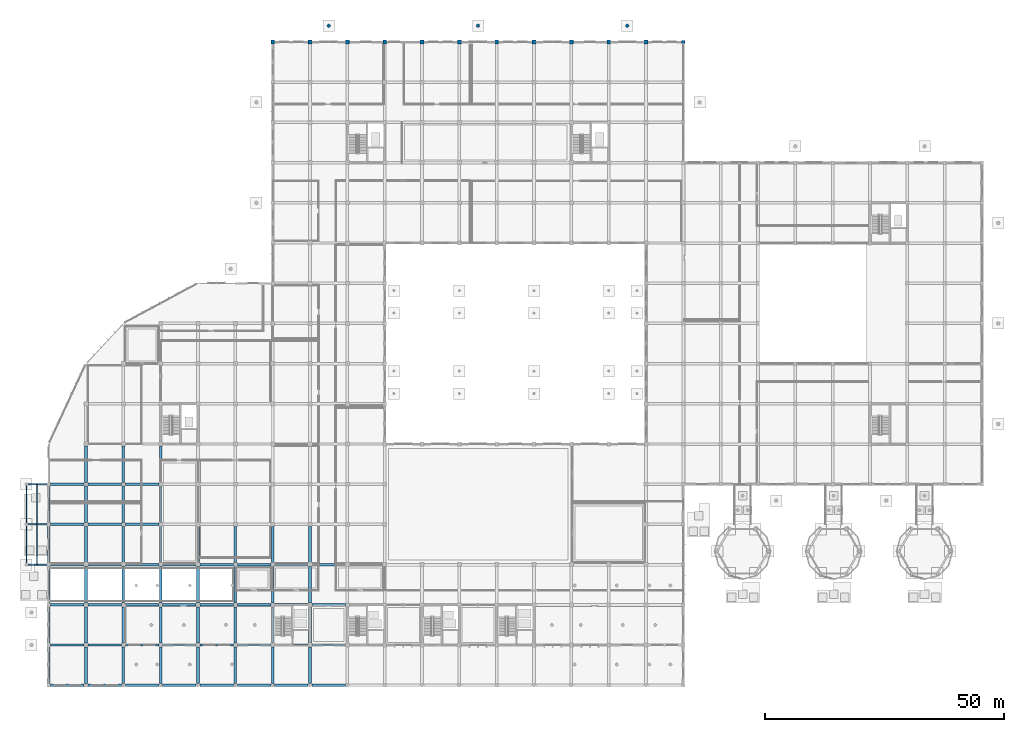
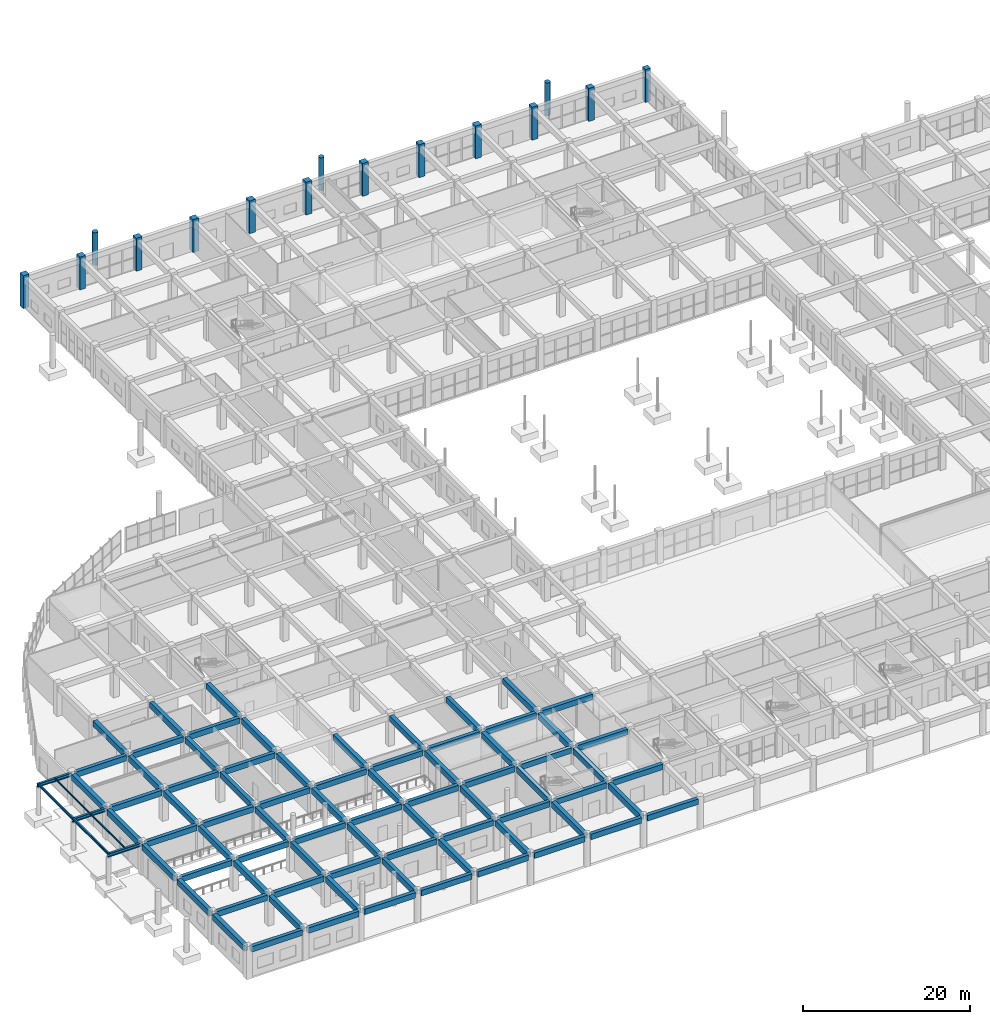
# One storey, part 10 of 139: 82 beams, 15 columns, 2 members.
"""IFC4 building model written with IfcOpenShell, lengths in metres."""

from ifc_helpers import new_model, si_unit, direction, frame, origin, origin_2d, place, context, subcontext, project, spatial, rectangle, circle, i_section, extrude, material, material_profile, profile_set, type_object, element, save


model = new_model("IFC4")

# Units and contexts
model_context = context("Model", 3, precision=1e-05, world=origin(), true_north=direction((0.0, 1.0)))
body_context = subcontext(model_context, "Body", "Model", "MODEL_VIEW")
ifc_project = project(units=[si_unit("LENGTHUNIT", "METRE"), si_unit("AREAUNIT", "SQUARE_METRE"), si_unit("VOLUMEUNIT", "CUBIC_METRE"), si_unit("PLANEANGLEUNIT", "RADIAN"), si_unit("MASSUNIT", "GRAM", prefix="KILO")], contexts=[model_context])

# Site, building, storey
site_placement = place(None, origin())
site = spatial("IfcSite", under=ifc_project, at=site_placement, CompositionType="ELEMENT")
building_placement = place(site_placement, origin())
building = spatial("IfcBuilding", under=site, at=building_placement, Name="Zizhar Promenade General Hospital", CompositionType="ELEMENT")
storey_placement = place(building_placement, origin())
storey = spatial("IfcBuildingStorey", under=building, at=storey_placement, Name="L00", CompositionType="ELEMENT", Elevation=0.0)

# Columns
ifc_material_1 = material(Name="Concrete C40/50", Category="concrete")
ifc_material_profile_1 = material_profile(ifc_material_1, circle(Radius=0.35009765625, at=origin_2d()))
ifc_profile_set_1 = profile_set([ifc_material_profile_1], Name="Concrete C40/50")
column_type_1 = type_object("IfcColumnType", Name="COL-CIRC-700", PredefinedType="PILASTER", material=ifc_profile_set_1)
for number, where, z_axis, x_axis, name in (
    (1, (58.5, 137.800048828125, 0.0), (0.0, 0.0, 1.0), (1.0, 0.0, 0.0), "Base Roof Colonnade Column 06 (L00)"),
    (2, (89.699951171875, 137.800048828125, 0.0), (0.0, 0.0, 1.0), (1.0, 0.0, 0.0), "Base Roof Colonnade Column 07 (L00)"),
    (3, (120.89990234375, 137.800048828125, 0.0), (0.0, 0.0, 1.0), (1.0, 0.0, 0.0), "Base Roof Colonnade Column 08 (L00)"),
):
    element("IfcColumn", number, at=place(storey_placement, frame(where, z_axis=z_axis, x_axis=x_axis)), inside=storey, type_object=column_type_1, Name=name, PredefinedType="PILASTER", context=body_context, shape_type="SweptSolid", body=[
        extrude(circle(Radius=0.35009765625, at=origin_2d()), origin(), (0.0, 0.0, 1.0), 4.800048828125),
    ])
ifc_material_2 = material(Name="Concrete C40/50", Category="concrete")
ifc_material_profile_2 = material_profile(ifc_material_2, rectangle(XDim=0.719970703125, YDim=0.719970703125, at=origin_2d()))
ifc_profile_set_2 = profile_set([ifc_material_profile_2], Name="Concrete C40/50")
column_type_2 = type_object("IfcColumnType", Name="COL-RC-720", PredefinedType="COLUMN", material=ifc_profile_set_2)
column_placement = place(storey_placement, frame((132.60009765625, 134.39990234375, 0.0), z_axis=(0.0, 0.0, 1.0), x_axis=(1.0, 0.0, 0.0)))
element("IfcColumn", 4, at=column_placement, inside=storey, type_object=column_type_2, Name="Column 18-S (L00)", PredefinedType="COLUMN", context=body_context, shape_type="SweptSolid", body=[
    extrude(rectangle(XDim=0.719970703125, YDim=0.719970703125, at=origin_2d()), origin(), (0.0, 0.0, 1.0), 4.800048828125),
])
ifc_material_3 = material(Name="Concrete C40/50", Category="concrete")
ifc_material_profile_3 = material_profile(ifc_material_3, rectangle(XDim=0.800048828125, YDim=0.800048828125, at=origin_2d()))
ifc_profile_set_3 = profile_set([ifc_material_profile_3], Name="Concrete C40/50")
column_type_3 = type_object("IfcColumnType", Name="COL-RC-800", PredefinedType="COLUMN", material=ifc_profile_set_3)
for number, where, z_axis, x_axis, name in (
    (5, (46.800048828125, 134.39990234375, 0.0), (0.0, 0.0, 1.0), (1.0, 0.0, 0.0), "Column 7-S (L00)"),
    (6, (54.60009765625, 134.39990234375, 0.0), (0.0, 0.0, 1.0), (1.0, 0.0, 0.0), "Column 8-S (L00)"),
    (7, (62.39990234375, 134.39990234375, 0.0), (0.0, 0.0, 1.0), (1.0, 0.0, 0.0), "Column 9-S (L00)"),
    (8, (70.199951171875, 134.39990234375, 0.0), (0.0, 0.0, 1.0), (1.0, 0.0, 0.0), "Column 10-S (L00)"),
    (9, (78.0, 134.39990234375, 0.0), (0.0, 0.0, 1.0), (1.0, 0.0, 0.0), "Column 11-S (L00)"),
    (10, (85.800048828125, 134.39990234375, 0.0), (0.0, 0.0, 1.0), (1.0, 0.0, 0.0), "Column 12-S (L00)"),
    (11, (93.60009765625, 134.39990234375, 0.0), (0.0, 0.0, 1.0), (1.0, 0.0, 0.0), "Column 13-S (L00)"),
    (12, (101.39990234375, 134.39990234375, 0.0), (0.0, 0.0, 1.0), (1.0, 0.0, 0.0), "Column 14-S (L00)"),
    (13, (109.199951171875, 134.39990234375, 0.0), (0.0, 0.0, 1.0), (1.0, 0.0, 0.0), "Column 15-S (L00)"),
    (14, (117.0, 134.39990234375, 0.0), (0.0, 0.0, 1.0), (1.0, 0.0, 0.0), "Column 16-S (L00)"),
    (15, (124.800048828125, 134.39990234375, 0.0), (0.0, 0.0, 1.0), (1.0, 0.0, 0.0), "Column 17-S (L00)"),
):
    element("IfcColumn", number, at=place(storey_placement, frame(where, z_axis=z_axis, x_axis=x_axis)), inside=storey, type_object=column_type_3, Name=name, PredefinedType="COLUMN", context=body_context, shape_type="SweptSolid", body=[
        extrude(rectangle(XDim=0.800048828125, YDim=0.800048828125, at=origin_2d()), origin(), (0.0, 0.0, 1.0), 4.800048828125),
    ])

# Beams
ifc_material_4 = material(Name="Concrete C35/45", Category="concrete")
ifc_material_profile_4 = material_profile(ifc_material_4, rectangle(XDim=0.5, YDim=0.800048828125, at=origin_2d()))
ifc_profile_set_4 = profile_set([ifc_material_profile_4], Name="Concrete C35/45")
beam_type_1 = type_object("IfcBeamType", Name="BM-RC-500x800", PredefinedType="BEAM", material=ifc_profile_set_4)
for number, where, z_axis, x_axis, name in (
    (16, (0.39990234375, 0.0, 4.070068359375), (1.0, 0.0, 0.0), (0.0, 1.0, 0.0), "Grid Beam X L00 (0-0)"),
    (17, (0.39990234375, 8.39990234375, 4.070068359375), (1.0, 0.0, 0.0), (0.0, 1.0, 0.0), "Grid Beam X L00 (0-1)"),
    (18, (0.39990234375, 16.800048828125, 4.070068359375), (1.0, 0.0, 0.0), (0.0, 1.0, 0.0), "Grid Beam X L00 (0-2)"),
    (19, (0.39990234375, 25.199951171875, 4.070068359375), (1.0, 0.0, 0.0), (0.0, 1.0, 0.0), "Grid Beam X L00 (0-3)"),
    (20, (0.39990234375, 33.60009765625, 4.070068359375), (1.0, 0.0, 0.0), (0.0, 1.0, 0.0), "Grid Beam X L00 (0-4)"),
    (21, (0.39990234375, 42.0, 4.070068359375), (1.0, 0.0, 0.0), (0.0, 1.0, 0.0), "Grid Beam X L00 (0-5)"),
    (22, (8.199951171875, 0.0, 4.070068359375), (1.0, 0.0, 0.0), (0.0, 1.0, 0.0), "Grid Beam X L00 (1-0)"),
    (23, (8.199951171875, 8.39990234375, 4.070068359375), (1.0, 0.0, 0.0), (0.0, 1.0, 0.0), "Grid Beam X L00 (1-1)"),
    (24, (8.199951171875, 16.800048828125, 4.070068359375), (1.0, 0.0, 0.0), (0.0, 1.0, 0.0), "Grid Beam X L00 (1-2)"),
    (25, (8.199951171875, 25.199951171875, 4.070068359375), (1.0, 0.0, 0.0), (0.0, 1.0, 0.0), "Grid Beam X L00 (1-3)"),
    (26, (8.199951171875, 33.60009765625, 4.070068359375), (1.0, 0.0, 0.0), (0.0, 1.0, 0.0), "Grid Beam X L00 (1-4)"),
    (27, (8.199951171875, 42.0, 4.070068359375), (1.0, 0.0, 0.0), (0.0, 1.0, 0.0), "Grid Beam X L00 (1-5)"),
    (28, (16.0, 0.0, 4.070068359375), (1.0, 0.0, 0.0), (0.0, 1.0, 0.0), "Grid Beam X L00 (2-0)"),
    (29, (16.0, 8.39990234375, 4.070068359375), (1.0, 0.0, 0.0), (0.0, 1.0, 0.0), "Grid Beam X L00 (2-1)"),
    (30, (16.0, 16.800048828125, 4.070068359375), (1.0, 0.0, 0.0), (0.0, 1.0, 0.0), "Grid Beam X L00 (2-2)"),
    (31, (16.0, 25.199951171875, 4.070068359375), (1.0, 0.0, 0.0), (0.0, 1.0, 0.0), "Grid Beam X L00 (2-3)"),
    (32, (16.0, 33.60009765625, 4.070068359375), (1.0, 0.0, 0.0), (0.0, 1.0, 0.0), "Grid Beam X L00 (2-4)"),
    (33, (16.0, 42.0, 4.070068359375), (1.0, 0.0, 0.0), (0.0, 1.0, 0.0), "Grid Beam X L00 (2-5)"),
    (34, (23.800048828125, 0.0, 4.070068359375), (1.0, 0.0, 0.0), (0.0, 1.0, 0.0), "Grid Beam X L00 (3-0)"),
    (35, (23.800048828125, 8.39990234375, 4.070068359375), (1.0, 0.0, 0.0), (0.0, 1.0, 0.0), "Grid Beam X L00 (3-1)"),
    (36, (23.800048828125, 16.800048828125, 4.070068359375), (1.0, 0.0, 0.0), (0.0, 1.0, 0.0), "Grid Beam X L00 (3-2)"),
    (37, (23.800048828125, 25.199951171875, 4.070068359375), (1.0, 0.0, 0.0), (0.0, 1.0, 0.0), "Grid Beam X L00 (3-3)"),
    (38, (31.60009765625, 0.0, 4.070068359375), (1.0, 0.0, 0.0), (0.0, 1.0, 0.0), "Grid Beam X L00 (4-0)"),
    (39, (31.60009765625, 8.39990234375, 4.070068359375), (1.0, 0.0, 0.0), (0.0, 1.0, 0.0), "Grid Beam X L00 (4-1)"),
    (40, (31.60009765625, 16.800048828125, 4.070068359375), (1.0, 0.0, 0.0), (0.0, 1.0, 0.0), "Grid Beam X L00 (4-2)"),
    (41, (31.60009765625, 25.199951171875, 4.070068359375), (1.0, 0.0, 0.0), (0.0, 1.0, 0.0), "Grid Beam X L00 (4-3)"),
    (42, (39.39990234375, 0.0, 4.070068359375), (1.0, 0.0, 0.0), (0.0, 1.0, 0.0), "Grid Beam X L00 (5-0)"),
    (43, (39.39990234375, 8.39990234375, 4.070068359375), (1.0, 0.0, 0.0), (0.0, 1.0, 0.0), "Grid Beam X L00 (5-1)"),
    (44, (39.39990234375, 16.800048828125, 4.070068359375), (1.0, 0.0, 0.0), (0.0, 1.0, 0.0), "Grid Beam X L00 (5-2)"),
    (45, (39.39990234375, 25.199951171875, 4.070068359375), (1.0, 0.0, 0.0), (0.0, 1.0, 0.0), "Grid Beam X L00 (5-3)"),
    (46, (47.199951171875, 0.0, 4.070068359375), (1.0, 0.0, 0.0), (0.0, 1.0, 0.0), "Grid Beam X L00 (6-0)"),
    (47, (47.199951171875, 8.39990234375, 4.070068359375), (1.0, 0.0, 0.0), (0.0, 1.0, 0.0), "Grid Beam X L00 (6-1)"),
    (48, (47.199951171875, 16.800048828125, 4.070068359375), (1.0, 0.0, 0.0), (0.0, 1.0, 0.0), "Grid Beam X L00 (6-2)"),
    (49, (47.199951171875, 25.199951171875, 4.070068359375), (1.0, 0.0, 0.0), (0.0, 1.0, 0.0), "Grid Beam X L00 (6-3)"),
    (50, (55.0, 0.0, 4.070068359375), (1.0, 0.0, 0.0), (0.0, 1.0, 0.0), "Grid Beam X L00 (7-0)"),
    (51, (55.0, 8.39990234375, 4.070068359375), (1.0, 0.0, 0.0), (0.0, 1.0, 0.0), "Grid Beam X L00 (7-1)"),
    (52, (55.0, 16.800048828125, 4.070068359375), (1.0, 0.0, 0.0), (0.0, 1.0, 0.0), "Grid Beam X L00 (7-2)"),
    (53, (55.0, 25.199951171875, 4.070068359375), (1.0, 0.0, 0.0), (0.0, 1.0, 0.0), "Grid Beam X L00 (7-3)"),
):
    element("IfcBeam", number, at=place(storey_placement, frame(where, z_axis=z_axis, x_axis=x_axis)), inside=storey, type_object=beam_type_1, Name=name, PredefinedType="BEAM", context=body_context, shape_type="SweptSolid", body=[
        extrude(rectangle(XDim=0.5, YDim=0.800048828125, at=origin_2d()), origin(), (0.0, 0.0, 1.0), 7.0),
    ])
ifc_material_5 = material(Name="Concrete C35/45", Category="concrete")
ifc_material_profile_5 = material_profile(ifc_material_5, rectangle(XDim=0.550048828125, YDim=0.85009765625, at=origin_2d()))
ifc_profile_set_5 = profile_set([ifc_material_profile_5], Name="Concrete C35/45")
beam_type_2 = type_object("IfcBeamType", Name="BM-RC-550x850", PredefinedType="BEAM", material=ifc_profile_set_5)
beam_1_placement = place(storey_placement, frame((0.0, 0.39990234375, 4.044921875), z_axis=(0.0, 1.0, 0.0), x_axis=(-1.0, 0.0, 0.0)))
element("IfcBeam", 54, at=beam_1_placement, inside=storey, type_object=beam_type_2, Name="Grid Beam Y L00 (0-0)", PredefinedType="BEAM", context=body_context, shape_type="SweptSolid", body=[
    extrude(rectangle(XDim=0.550048828125, YDim=0.85009765625, at=origin_2d()), origin(), (0.0, 0.0, 1.0), 7.60009765625),
])
beam_2_placement = place(storey_placement, frame((0.0, 8.800048828125, 4.044921875), z_axis=(0.0, 1.0, 0.0), x_axis=(-1.0, 0.0, 0.0)))
element("IfcBeam", 55, at=beam_2_placement, inside=storey, type_object=beam_type_2, Name="Grid Beam Y L00 (0-1)", PredefinedType="BEAM", context=body_context, shape_type="SweptSolid", body=[
    extrude(rectangle(XDim=0.550048828125, YDim=0.85009765625, at=origin_2d()), origin(), (0.0, 0.0, 1.0), 7.599853515625),
])
beam_3_placement = place(storey_placement, frame((0.0, 17.199951171875, 4.044921875), z_axis=(0.0, 1.0, 0.0), x_axis=(-1.0, 0.0, 0.0)))
element("IfcBeam", 56, at=beam_3_placement, inside=storey, type_object=beam_type_2, Name="Grid Beam Y L00 (0-2)", PredefinedType="BEAM", context=body_context, shape_type="SweptSolid", body=[
    extrude(rectangle(XDim=0.550048828125, YDim=0.85009765625, at=origin_2d()), origin(), (0.0, 0.0, 1.0), 7.60009765625),
])
beam_4_placement = place(storey_placement, frame((0.0, 25.60009765625, 4.044921875), z_axis=(0.0, 1.0, 0.0), x_axis=(-1.0, 0.0, 0.0)))
element("IfcBeam", 57, at=beam_4_placement, inside=storey, type_object=beam_type_2, Name="Grid Beam Y L00 (0-3)", PredefinedType="BEAM", context=body_context, shape_type="SweptSolid", body=[
    extrude(rectangle(XDim=0.550048828125, YDim=0.85009765625, at=origin_2d()), origin(), (0.0, 0.0, 1.0), 7.599853515625),
])
for number, where, z_axis, x_axis, name in (
    (58, (0.0, 34.0, 4.044921875), (0.0, 1.0, 0.0), (-1.0, 0.0, 0.0), "Grid Beam Y L00 (0-4)"),
    (59, (7.800048828125, 0.39990234375, 4.044921875), (0.0, 1.0, 0.0), (-1.0, 0.0, 0.0), "Grid Beam Y L00 (1-0)"),
):
    element("IfcBeam", number, at=place(storey_placement, frame(where, z_axis=z_axis, x_axis=x_axis)), inside=storey, type_object=beam_type_2, Name=name, PredefinedType="BEAM", context=body_context, shape_type="SweptSolid", body=[
        extrude(rectangle(XDim=0.550048828125, YDim=0.85009765625, at=origin_2d()), origin(), (0.0, 0.0, 1.0), 7.60009765625),
    ])
beam_5_placement = place(storey_placement, frame((7.800048828125, 8.800048828125, 4.044921875), z_axis=(0.0, 1.0, 0.0), x_axis=(-1.0, 0.0, 0.0)))
element("IfcBeam", 60, at=beam_5_placement, inside=storey, type_object=beam_type_2, Name="Grid Beam Y L00 (1-1)", PredefinedType="BEAM", context=body_context, shape_type="SweptSolid", body=[
    extrude(rectangle(XDim=0.550048828125, YDim=0.85009765625, at=origin_2d()), origin(), (0.0, 0.0, 1.0), 7.599853515625),
])
beam_6_placement = place(storey_placement, frame((7.800048828125, 17.199951171875, 4.044921875), z_axis=(0.0, 1.0, 0.0), x_axis=(-1.0, 0.0, 0.0)))
element("IfcBeam", 61, at=beam_6_placement, inside=storey, type_object=beam_type_2, Name="Grid Beam Y L00 (1-2)", PredefinedType="BEAM", context=body_context, shape_type="SweptSolid", body=[
    extrude(rectangle(XDim=0.550048828125, YDim=0.85009765625, at=origin_2d()), origin(), (0.0, 0.0, 1.0), 7.60009765625),
])
beam_7_placement = place(storey_placement, frame((7.800048828125, 25.60009765625, 4.044921875), z_axis=(0.0, 1.0, 0.0), x_axis=(-1.0, 0.0, 0.0)))
element("IfcBeam", 62, at=beam_7_placement, inside=storey, type_object=beam_type_2, Name="Grid Beam Y L00 (1-3)", PredefinedType="BEAM", context=body_context, shape_type="SweptSolid", body=[
    extrude(rectangle(XDim=0.550048828125, YDim=0.85009765625, at=origin_2d()), origin(), (0.0, 0.0, 1.0), 7.599853515625),
])
for number, where, z_axis, x_axis, name in (
    (63, (7.800048828125, 34.0, 4.044921875), (0.0, 1.0, 0.0), (-1.0, 0.0, 0.0), "Grid Beam Y L00 (1-4)"),
    (64, (7.800048828125, 42.39990234375, 4.044921875), (0.0, 1.0, 0.0), (-1.0, 0.0, 0.0), "Grid Beam Y L00 (1-5)"),
    (65, (15.60009765625, 0.39990234375, 4.044921875), (0.0, 1.0, 0.0), (-1.0, 0.0, 0.0), "Grid Beam Y L00 (2-0)"),
):
    element("IfcBeam", number, at=place(storey_placement, frame(where, z_axis=z_axis, x_axis=x_axis)), inside=storey, type_object=beam_type_2, Name=name, PredefinedType="BEAM", context=body_context, shape_type="SweptSolid", body=[
        extrude(rectangle(XDim=0.550048828125, YDim=0.85009765625, at=origin_2d()), origin(), (0.0, 0.0, 1.0), 7.60009765625),
    ])
beam_8_placement = place(storey_placement, frame((15.60009765625, 8.800048828125, 4.044921875), z_axis=(0.0, 1.0, 0.0), x_axis=(-1.0, 0.0, 0.0)))
element("IfcBeam", 66, at=beam_8_placement, inside=storey, type_object=beam_type_2, Name="Grid Beam Y L00 (2-1)", PredefinedType="BEAM", context=body_context, shape_type="SweptSolid", body=[
    extrude(rectangle(XDim=0.550048828125, YDim=0.85009765625, at=origin_2d()), origin(), (0.0, 0.0, 1.0), 7.599853515625),
])
beam_9_placement = place(storey_placement, frame((15.60009765625, 17.199951171875, 4.044921875), z_axis=(0.0, 1.0, 0.0), x_axis=(-1.0, 0.0, 0.0)))
element("IfcBeam", 67, at=beam_9_placement, inside=storey, type_object=beam_type_2, Name="Grid Beam Y L00 (2-2)", PredefinedType="BEAM", context=body_context, shape_type="SweptSolid", body=[
    extrude(rectangle(XDim=0.550048828125, YDim=0.85009765625, at=origin_2d()), origin(), (0.0, 0.0, 1.0), 7.60009765625),
])
beam_10_placement = place(storey_placement, frame((15.60009765625, 25.60009765625, 4.044921875), z_axis=(0.0, 1.0, 0.0), x_axis=(-1.0, 0.0, 0.0)))
element("IfcBeam", 68, at=beam_10_placement, inside=storey, type_object=beam_type_2, Name="Grid Beam Y L00 (2-3)", PredefinedType="BEAM", context=body_context, shape_type="SweptSolid", body=[
    extrude(rectangle(XDim=0.550048828125, YDim=0.85009765625, at=origin_2d()), origin(), (0.0, 0.0, 1.0), 7.599853515625),
])
for number, where, z_axis, x_axis, name in (
    (69, (15.60009765625, 34.0, 4.044921875), (0.0, 1.0, 0.0), (-1.0, 0.0, 0.0), "Grid Beam Y L00 (2-4)"),
    (70, (15.60009765625, 42.39990234375, 4.044921875), (0.0, 1.0, 0.0), (-1.0, 0.0, 0.0), "Grid Beam Y L00 (2-5)"),
    (71, (23.39990234375, 0.39990234375, 4.044921875), (0.0, 1.0, 0.0), (-1.0, 0.0, 0.0), "Grid Beam Y L00 (3-0)"),
):
    element("IfcBeam", number, at=place(storey_placement, frame(where, z_axis=z_axis, x_axis=x_axis)), inside=storey, type_object=beam_type_2, Name=name, PredefinedType="BEAM", context=body_context, shape_type="SweptSolid", body=[
        extrude(rectangle(XDim=0.550048828125, YDim=0.85009765625, at=origin_2d()), origin(), (0.0, 0.0, 1.0), 7.60009765625),
    ])
beam_11_placement = place(storey_placement, frame((23.39990234375, 8.800048828125, 4.044921875), z_axis=(0.0, 1.0, 0.0), x_axis=(-1.0, 0.0, 0.0)))
element("IfcBeam", 72, at=beam_11_placement, inside=storey, type_object=beam_type_2, Name="Grid Beam Y L00 (3-1)", PredefinedType="BEAM", context=body_context, shape_type="SweptSolid", body=[
    extrude(rectangle(XDim=0.550048828125, YDim=0.85009765625, at=origin_2d()), origin(), (0.0, 0.0, 1.0), 7.599853515625),
])
beam_12_placement = place(storey_placement, frame((23.39990234375, 17.199951171875, 4.044921875), z_axis=(0.0, 1.0, 0.0), x_axis=(-1.0, 0.0, 0.0)))
element("IfcBeam", 73, at=beam_12_placement, inside=storey, type_object=beam_type_2, Name="Grid Beam Y L00 (3-2)", PredefinedType="BEAM", context=body_context, shape_type="SweptSolid", body=[
    extrude(rectangle(XDim=0.550048828125, YDim=0.85009765625, at=origin_2d()), origin(), (0.0, 0.0, 1.0), 7.60009765625),
])
beam_13_placement = place(storey_placement, frame((23.39990234375, 25.60009765625, 4.044921875), z_axis=(0.0, 1.0, 0.0), x_axis=(-1.0, 0.0, 0.0)))
element("IfcBeam", 74, at=beam_13_placement, inside=storey, type_object=beam_type_2, Name="Grid Beam Y L00 (3-3)", PredefinedType="BEAM", context=body_context, shape_type="SweptSolid", body=[
    extrude(rectangle(XDim=0.550048828125, YDim=0.85009765625, at=origin_2d()), origin(), (0.0, 0.0, 1.0), 7.599853515625),
])
for number, where, z_axis, x_axis, name in (
    (75, (23.39990234375, 34.0, 4.044921875), (0.0, 1.0, 0.0), (-1.0, 0.0, 0.0), "Grid Beam Y L00 (3-4)"),
    (76, (23.39990234375, 42.39990234375, 4.044921875), (0.0, 1.0, 0.0), (-1.0, 0.0, 0.0), "Grid Beam Y L00 (3-5)"),
    (77, (31.199951171875, 0.39990234375, 4.044921875), (0.0, 1.0, 0.0), (-1.0, 0.0, 0.0), "Grid Beam Y L00 (4-0)"),
):
    element("IfcBeam", number, at=place(storey_placement, frame(where, z_axis=z_axis, x_axis=x_axis)), inside=storey, type_object=beam_type_2, Name=name, PredefinedType="BEAM", context=body_context, shape_type="SweptSolid", body=[
        extrude(rectangle(XDim=0.550048828125, YDim=0.85009765625, at=origin_2d()), origin(), (0.0, 0.0, 1.0), 7.60009765625),
    ])
beam_14_placement = place(storey_placement, frame((31.199951171875, 8.800048828125, 4.044921875), z_axis=(0.0, 1.0, 0.0), x_axis=(-1.0, 0.0, 0.0)))
element("IfcBeam", 78, at=beam_14_placement, inside=storey, type_object=beam_type_2, Name="Grid Beam Y L00 (4-1)", PredefinedType="BEAM", context=body_context, shape_type="SweptSolid", body=[
    extrude(rectangle(XDim=0.550048828125, YDim=0.85009765625, at=origin_2d()), origin(), (0.0, 0.0, 1.0), 7.599853515625),
])
beam_15_placement = place(storey_placement, frame((31.199951171875, 17.199951171875, 4.044921875), z_axis=(0.0, 1.0, 0.0), x_axis=(-1.0, 0.0, 0.0)))
element("IfcBeam", 79, at=beam_15_placement, inside=storey, type_object=beam_type_2, Name="Grid Beam Y L00 (4-2)", PredefinedType="BEAM", context=body_context, shape_type="SweptSolid", body=[
    extrude(rectangle(XDim=0.550048828125, YDim=0.85009765625, at=origin_2d()), origin(), (0.0, 0.0, 1.0), 7.60009765625),
])
beam_16_placement = place(storey_placement, frame((31.199951171875, 25.60009765625, 4.044921875), z_axis=(0.0, 1.0, 0.0), x_axis=(-1.0, 0.0, 0.0)))
element("IfcBeam", 80, at=beam_16_placement, inside=storey, type_object=beam_type_2, Name="Grid Beam Y L00 (4-3)", PredefinedType="BEAM", context=body_context, shape_type="SweptSolid", body=[
    extrude(rectangle(XDim=0.550048828125, YDim=0.85009765625, at=origin_2d()), origin(), (0.0, 0.0, 1.0), 7.599853515625),
])
beam_17_placement = place(storey_placement, frame((39.0, 0.39990234375, 4.044921875), z_axis=(0.0, 1.0, 0.0), x_axis=(-1.0, 0.0, 0.0)))
element("IfcBeam", 81, at=beam_17_placement, inside=storey, type_object=beam_type_2, Name="Grid Beam Y L00 (5-0)", PredefinedType="BEAM", context=body_context, shape_type="SweptSolid", body=[
    extrude(rectangle(XDim=0.550048828125, YDim=0.85009765625, at=origin_2d()), origin(), (0.0, 0.0, 1.0), 7.60009765625),
])
beam_18_placement = place(storey_placement, frame((39.0, 8.800048828125, 4.044921875), z_axis=(0.0, 1.0, 0.0), x_axis=(-1.0, 0.0, 0.0)))
element("IfcBeam", 82, at=beam_18_placement, inside=storey, type_object=beam_type_2, Name="Grid Beam Y L00 (5-1)", PredefinedType="BEAM", context=body_context, shape_type="SweptSolid", body=[
    extrude(rectangle(XDim=0.550048828125, YDim=0.85009765625, at=origin_2d()), origin(), (0.0, 0.0, 1.0), 7.599853515625),
])
beam_19_placement = place(storey_placement, frame((39.0, 17.199951171875, 4.044921875), z_axis=(0.0, 1.0, 0.0), x_axis=(-1.0, 0.0, 0.0)))
element("IfcBeam", 83, at=beam_19_placement, inside=storey, type_object=beam_type_2, Name="Grid Beam Y L00 (5-2)", PredefinedType="BEAM", context=body_context, shape_type="SweptSolid", body=[
    extrude(rectangle(XDim=0.550048828125, YDim=0.85009765625, at=origin_2d()), origin(), (0.0, 0.0, 1.0), 7.60009765625),
])
beam_20_placement = place(storey_placement, frame((39.0, 25.60009765625, 4.044921875), z_axis=(0.0, 1.0, 0.0), x_axis=(-1.0, 0.0, 0.0)))
element("IfcBeam", 84, at=beam_20_placement, inside=storey, type_object=beam_type_2, Name="Grid Beam Y L00 (5-3)", PredefinedType="BEAM", context=body_context, shape_type="SweptSolid", body=[
    extrude(rectangle(XDim=0.550048828125, YDim=0.85009765625, at=origin_2d()), origin(), (0.0, 0.0, 1.0), 7.599853515625),
])
beam_21_placement = place(storey_placement, frame((46.800048828125, 0.39990234375, 4.044921875), z_axis=(0.0, 1.0, 0.0), x_axis=(-1.0, 0.0, 0.0)))
element("IfcBeam", 85, at=beam_21_placement, inside=storey, type_object=beam_type_2, Name="Grid Beam Y L00 (6-0)", PredefinedType="BEAM", context=body_context, shape_type="SweptSolid", body=[
    extrude(rectangle(XDim=0.550048828125, YDim=0.85009765625, at=origin_2d()), origin(), (0.0, 0.0, 1.0), 7.60009765625),
])
beam_22_placement = place(storey_placement, frame((46.800048828125, 8.800048828125, 4.044921875), z_axis=(0.0, 1.0, 0.0), x_axis=(-1.0, 0.0, 0.0)))
element("IfcBeam", 86, at=beam_22_placement, inside=storey, type_object=beam_type_2, Name="Grid Beam Y L00 (6-1)", PredefinedType="BEAM", context=body_context, shape_type="SweptSolid", body=[
    extrude(rectangle(XDim=0.550048828125, YDim=0.85009765625, at=origin_2d()), origin(), (0.0, 0.0, 1.0), 7.599853515625),
])
beam_23_placement = place(storey_placement, frame((46.800048828125, 17.199951171875, 4.044921875), z_axis=(0.0, 1.0, 0.0), x_axis=(-1.0, 0.0, 0.0)))
element("IfcBeam", 87, at=beam_23_placement, inside=storey, type_object=beam_type_2, Name="Grid Beam Y L00 (6-2)", PredefinedType="BEAM", context=body_context, shape_type="SweptSolid", body=[
    extrude(rectangle(XDim=0.550048828125, YDim=0.85009765625, at=origin_2d()), origin(), (0.0, 0.0, 1.0), 7.60009765625),
])
beam_24_placement = place(storey_placement, frame((46.800048828125, 25.60009765625, 4.044921875), z_axis=(0.0, 1.0, 0.0), x_axis=(-1.0, 0.0, 0.0)))
element("IfcBeam", 88, at=beam_24_placement, inside=storey, type_object=beam_type_2, Name="Grid Beam Y L00 (6-3)", PredefinedType="BEAM", context=body_context, shape_type="SweptSolid", body=[
    extrude(rectangle(XDim=0.550048828125, YDim=0.85009765625, at=origin_2d()), origin(), (0.0, 0.0, 1.0), 7.599853515625),
])
beam_25_placement = place(storey_placement, frame((54.60009765625, 0.39990234375, 4.044921875), z_axis=(0.0, 1.0, 0.0), x_axis=(-1.0, 0.0, 0.0)))
element("IfcBeam", 89, at=beam_25_placement, inside=storey, type_object=beam_type_2, Name="Grid Beam Y L00 (7-0)", PredefinedType="BEAM", context=body_context, shape_type="SweptSolid", body=[
    extrude(rectangle(XDim=0.550048828125, YDim=0.85009765625, at=origin_2d()), origin(), (0.0, 0.0, 1.0), 7.60009765625),
])
beam_26_placement = place(storey_placement, frame((54.60009765625, 8.800048828125, 4.044921875), z_axis=(0.0, 1.0, 0.0), x_axis=(-1.0, 0.0, 0.0)))
element("IfcBeam", 90, at=beam_26_placement, inside=storey, type_object=beam_type_2, Name="Grid Beam Y L00 (7-1)", PredefinedType="BEAM", context=body_context, shape_type="SweptSolid", body=[
    extrude(rectangle(XDim=0.550048828125, YDim=0.85009765625, at=origin_2d()), origin(), (0.0, 0.0, 1.0), 7.599853515625),
])
beam_27_placement = place(storey_placement, frame((54.60009765625, 17.199951171875, 4.044921875), z_axis=(0.0, 1.0, 0.0), x_axis=(-1.0, 0.0, 0.0)))
element("IfcBeam", 91, at=beam_27_placement, inside=storey, type_object=beam_type_2, Name="Grid Beam Y L00 (7-2)", PredefinedType="BEAM", context=body_context, shape_type="SweptSolid", body=[
    extrude(rectangle(XDim=0.550048828125, YDim=0.85009765625, at=origin_2d()), origin(), (0.0, 0.0, 1.0), 7.60009765625),
])
beam_28_placement = place(storey_placement, frame((54.60009765625, 25.60009765625, 4.044921875), z_axis=(0.0, 1.0, 0.0), x_axis=(-1.0, 0.0, 0.0)))
element("IfcBeam", 92, at=beam_28_placement, inside=storey, type_object=beam_type_2, Name="Grid Beam Y L00 (7-3)", PredefinedType="BEAM", context=body_context, shape_type="SweptSolid", body=[
    extrude(rectangle(XDim=0.550048828125, YDim=0.85009765625, at=origin_2d()), origin(), (0.0, 0.0, 1.0), 7.599853515625),
])
ifc_material_6 = material(Name="Steel S355", Category="steel")
ifc_material_profile_6 = material_profile(ifc_material_6, i_section(OverallWidth=0.300048828125, OverallDepth=0.5, WebThickness=0.014404296875, FlangeThickness=0.028076171875, FilletRadius=0.027099609375, at=origin_2d()))
ifc_profile_set_6 = profile_set([ifc_material_profile_6], Name="Steel S355")
beam_type_3 = type_object("IfcBeamType", Name="BM-STL-HEB500", PredefinedType="BEAM", material=ifc_profile_set_6)
for number, where, z_axis, x_axis, name in (
    (93, (0.0, 25.199951171875, 4.219970703125), (-1.0, 0.0, 0.0), (0.0, -1.0, 0.0), "Ambulance Canopy Cantilever Girder 1"),
    (94, (0.0, 33.60009765625, 4.219970703125), (-1.0, 0.0, 0.0), (0.0, -1.0, 0.0), "Ambulance Canopy Cantilever Girder 2"),
    (95, (0.0, 42.0, 4.219970703125), (-1.0, 0.0, 0.0), (0.0, -1.0, 0.0), "Ambulance Canopy Cantilever Girder 3"),
):
    element("IfcBeam", number, at=place(storey_placement, frame(where, z_axis=z_axis, x_axis=x_axis)), inside=storey, type_object=beam_type_3, Name=name, PredefinedType="BEAM", context=body_context, shape_type="SweptSolid", body=[
        extrude(i_section(OverallWidth=0.300048828125, OverallDepth=0.5, WebThickness=0.014404296875, FlangeThickness=0.028076171875, FilletRadius=0.027099609375, at=origin_2d()), origin(), (0.0, 0.0, 1.0), 4.800048828125),
    ])
ifc_material_7 = material(Name="Steel S355", Category="steel")
ifc_material_profile_7 = material_profile(ifc_material_7, i_section(OverallWidth=0.169921875, OverallDepth=0.360107421875, WebThickness=0.008056640625, FlangeThickness=0.0126953125, FilletRadius=0.01806640625, at=origin_2d()))
ifc_profile_set_7 = profile_set([ifc_material_profile_7], Name="Steel S355")
beam_type_4 = type_object("IfcBeamType", Name="BM-STL-IPE360", PredefinedType="JOIST", material=ifc_profile_set_7)
beam_29_placement = place(storey_placement, frame((-4.64990234375, 25.199951171875, 4.35009765625), z_axis=(0.0, 1.0, 0.0), x_axis=(-1.0, 0.0, 0.0)))
element("IfcBeam", 96, at=beam_29_placement, inside=storey, type_object=beam_type_4, Name="Ambulance Canopy Edge Beam 1", PredefinedType="JOIST", context=body_context, shape_type="SweptSolid", body=[
    extrude(i_section(OverallWidth=0.169921875, OverallDepth=0.360107421875, WebThickness=0.008056640625, FlangeThickness=0.0126953125, FilletRadius=0.01806640625, at=origin_2d()), origin(), (0.0, 0.0, 1.0), 8.400146484375),
])
beam_30_placement = place(storey_placement, frame((-4.64990234375, 33.60009765625, 4.35009765625), z_axis=(0.0, 1.0, 0.0), x_axis=(-1.0, 0.0, 0.0)))
element("IfcBeam", 97, at=beam_30_placement, inside=storey, type_object=beam_type_4, Name="Ambulance Canopy Edge Beam 2", PredefinedType="JOIST", context=body_context, shape_type="SweptSolid", body=[
    extrude(i_section(OverallWidth=0.169921875, OverallDepth=0.360107421875, WebThickness=0.008056640625, FlangeThickness=0.0126953125, FilletRadius=0.01806640625, at=origin_2d()), origin(), (0.0, 0.0, 1.0), 8.39990234375),
])

# Members
ifc_material_8 = material(Name="Steel S355", Category="steel")
ifc_material_profile_8 = material_profile(ifc_material_8, i_section(OverallWidth=0.110107421875, OverallDepth=0.219970703125, WebThickness=0.005859375, FlangeThickness=0.00927734375, FilletRadius=0.011962890625, at=origin_2d()))
ifc_profile_set_8 = profile_set([ifc_material_profile_8], Name="Steel S355")
member_type = type_object("IfcMemberType", Name="MEM-PURL-IPE220", PredefinedType="PURLIN", material=ifc_profile_set_8)
member_1_placement = place(storey_placement, frame((-2.39990234375, 25.199951171875, 4.419921875), z_axis=(0.0, 1.0, 0.0), x_axis=(-1.0, 0.0, 0.0)))
element("IfcMember", 98, at=member_1_placement, inside=storey, type_object=member_type, Name="Ambulance Canopy Purlin 1", PredefinedType="PURLIN", context=body_context, shape_type="SweptSolid", body=[
    extrude(i_section(OverallWidth=0.110107421875, OverallDepth=0.219970703125, WebThickness=0.005859375, FlangeThickness=0.00927734375, FilletRadius=0.011962890625, at=origin_2d()), origin(), (0.0, 0.0, 1.0), 8.400146484375),
])
member_2_placement = place(storey_placement, frame((-2.39990234375, 33.60009765625, 4.419921875), z_axis=(0.0, 1.0, 0.0), x_axis=(-1.0, 0.0, 0.0)))
element("IfcMember", 99, at=member_2_placement, inside=storey, type_object=member_type, Name="Ambulance Canopy Purlin 2", PredefinedType="PURLIN", context=body_context, shape_type="SweptSolid", body=[
    extrude(i_section(OverallWidth=0.110107421875, OverallDepth=0.219970703125, WebThickness=0.005859375, FlangeThickness=0.00927734375, FilletRadius=0.011962890625, at=origin_2d()), origin(), (0.0, 0.0, 1.0), 8.39990234375),
])

save(model, "model.ifc")
